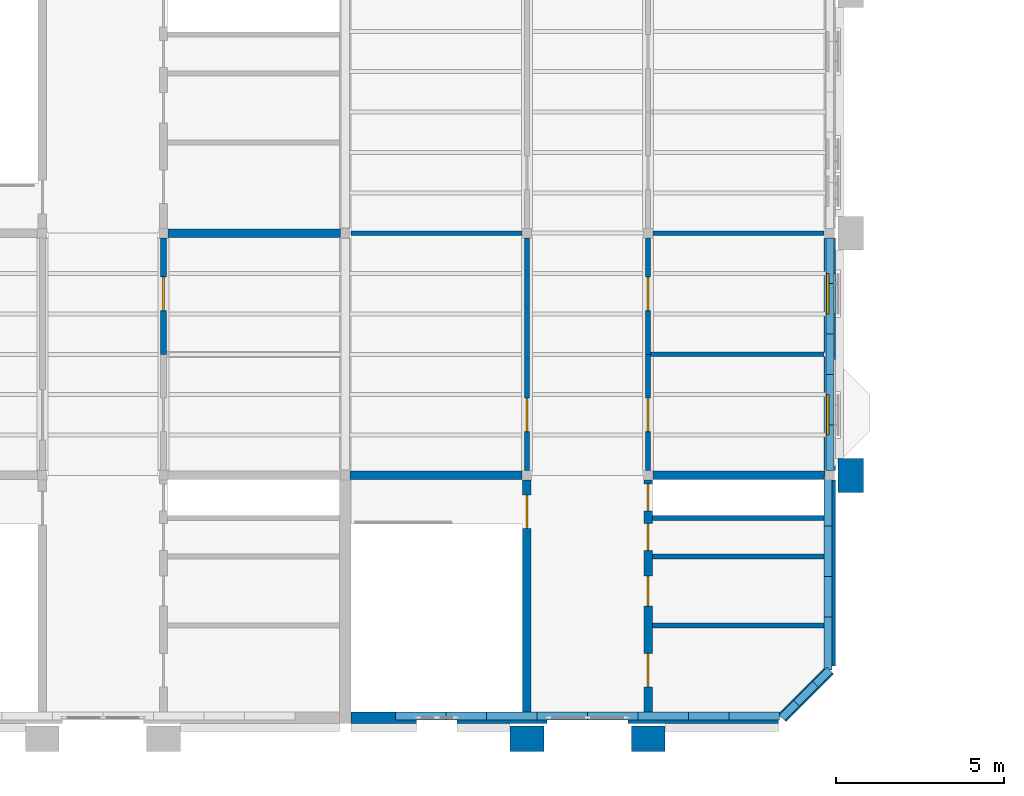
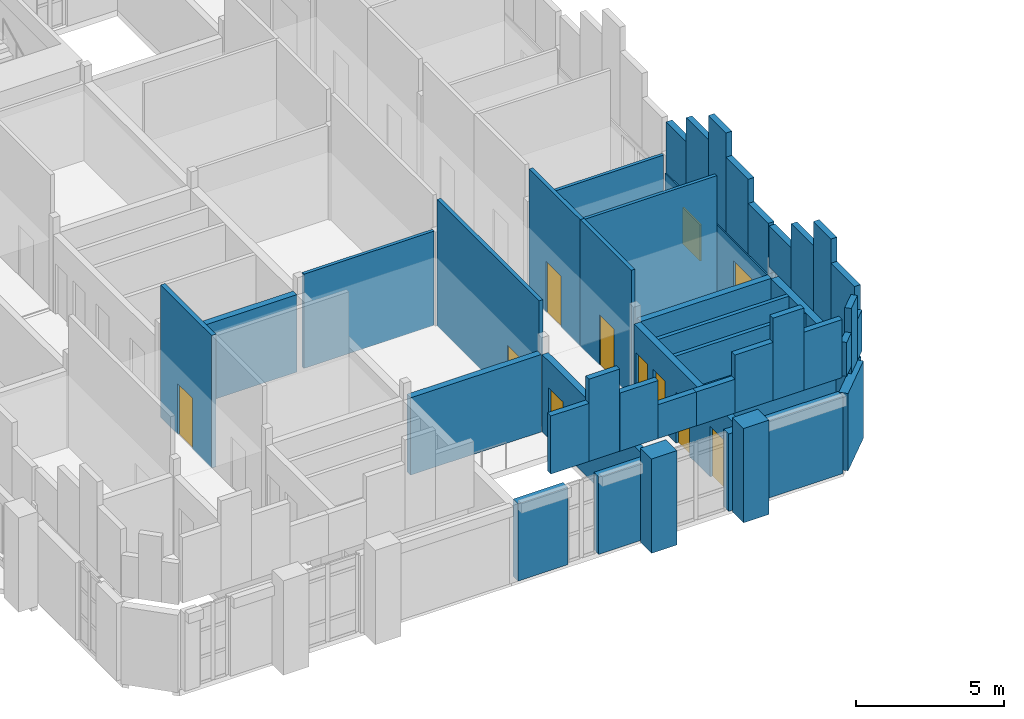
# One storey, part 33 of 51: 44 walls, 9 doors, 2 windows, 11 openings.
"""IFC4 building model written with IfcOpenShell, lengths in metres."""

from ifc_helpers import new_model, si_unit, direction, frame, frame_2d, origin, place, context, subcontext, project, spatial, rectangle, extrude, material, layer, layer_set, type_object, element, fill, save


model = new_model("IFC4")

# Units and contexts
model_context = context("Model", 3, precision=1e-05, world=origin(), true_north=direction((0.0, 1.0)))
body_context = subcontext(model_context, "Body", "Model", "MODEL_VIEW")
ifc_project = project(units=[si_unit("LENGTHUNIT", "METRE"), si_unit("AREAUNIT", "SQUARE_METRE"), si_unit("VOLUMEUNIT", "CUBIC_METRE"), si_unit("PLANEANGLEUNIT", "RADIAN"), si_unit("MASSUNIT", "GRAM", prefix="KILO")], contexts=[model_context])

# Site, building, storey
site_placement = place(None, origin())
site = spatial("IfcSite", under=ifc_project, at=site_placement, CompositionType="ELEMENT")
building_placement = place(site_placement, origin())
building = spatial("IfcBuilding", under=site, at=building_placement, Name="Mazhai Court Health Centre", CompositionType="ELEMENT")
storey_placement = place(building_placement, frame((0.0, 0.0, 14.10009765625)))
storey = spatial("IfcBuildingStorey", under=building, at=storey_placement, Name="L03", CompositionType="ELEMENT", Elevation=14.10009765625)

# Walls
ifc_material_1 = material(Name="Clay brick masonry", Category="masonry")
ifc_layer_1 = layer(ifc_material_1, 0.22998046875)
ifc_layer_set_1 = layer_set([ifc_layer_1], Name="BRICK PARAPET 230")
wall_type_1 = type_object("IfcWallType", Name="BRICK PARAPET 230", PredefinedType="SOLIDWALL", material=ifc_layer_set_1)
wall_1_placement = place(storey_placement, frame((34.949951171875, 9.199951171875, 3.599853515625), z_axis=(0.0, 0.0, 1.0), x_axis=(0.0, -1.0, 0.0)))
element("IfcWall", 1, at=wall_1_placement, inside=storey, type_object=wall_type_1, Name="PR-V5-B2", PredefinedType="SOLIDWALL", context=body_context, shape_type="SweptSolid", body=[
    extrude(rectangle(XDim=1.5859375, YDim=0.22998046875, at=frame_2d((0.79296875, 0.0))), origin(), (0.0, 0.0, 1.0), 2.699951171875),
])
wall_2_placement = place(storey_placement, frame((34.949951171875, 10.39990234375, 3.599853515625), z_axis=(0.0, 0.0, 1.0), x_axis=(0.0, -1.0, 0.0)))
element("IfcWall", 2, at=wall_2_placement, inside=storey, type_object=wall_type_1, Name="PR-V5-B3", PredefinedType="SOLIDWALL", context=body_context, shape_type="SweptSolid", body=[
    extrude(rectangle(XDim=1.199951171875, YDim=0.22998046875, at=frame_2d((0.60009765625, 0.0))), origin(), (0.0, 0.0, 1.0), 3.699951171875),
])
wall_3_placement = place(storey_placement, frame((34.949951171875, 11.89990234375, 3.599853515625), z_axis=(0.0, 0.0, 1.0), x_axis=(0.0, -1.0, 0.0)))
element("IfcWall", 3, at=wall_3_placement, inside=storey, type_object=wall_type_1, Name="PR-V5-B4", PredefinedType="SOLIDWALL", context=body_context, shape_type="SweptSolid", body=[
    extrude(rectangle(XDim=1.5, YDim=0.22998046875, at=frame_2d((0.75, 0.0))), origin(), (0.0, 0.0, 1.0), 2.699951171875),
])
wall_4_placement = place(storey_placement, frame((34.949951171875, 13.39990234375, 3.599853515625), z_axis=(0.0, 0.0, 1.0), x_axis=(0.0, -1.0, 0.0)))
element("IfcWall", 4, at=wall_4_placement, inside=storey, type_object=wall_type_1, Name="PR-V5-B5", PredefinedType="SOLIDWALL", context=body_context, shape_type="SweptSolid", body=[
    extrude(rectangle(XDim=1.5, YDim=0.22998046875, at=frame_2d((0.75, 0.0))), origin(), (0.0, 0.0, 1.0), 1.699951171875),
])
wall_5_placement = place(storey_placement, frame((23.60009765625, 6.25, 3.89990234375), z_axis=(0.0, 0.0, 1.0), x_axis=(-1.0, 0.0, 0.0)))
element("IfcWall", 5, at=wall_5_placement, inside=storey, type_object=wall_type_1, Name="PR-V5-S2", PredefinedType="SOLIDWALL", context=body_context, shape_type="SweptSolid", body=[
    extrude(rectangle(XDim=1.5, YDim=0.22998046875, at=frame_2d((0.75, 0.0))), origin(), (0.0, 0.0, 1.0), 2.39990234375),
])
wall_6_placement = place(storey_placement, frame((24.800048828125, 6.25, 3.89990234375), z_axis=(0.0, 0.0, 1.0), x_axis=(-1.0, 0.0, 0.0)))
element("IfcWall", 6, at=wall_6_placement, inside=storey, type_object=wall_type_1, Name="PR-V5-S3", PredefinedType="SOLIDWALL", context=body_context, shape_type="SweptSolid", body=[
    extrude(rectangle(XDim=1.199951171875, YDim=0.22998046875, at=frame_2d((0.60009765625, 0.0))), origin(), (0.0, 0.0, 1.0), 3.39990234375),
])
wall_7_placement = place(storey_placement, frame((26.300048828125, 6.25, 3.89990234375), z_axis=(0.0, 0.0, 1.0), x_axis=(-1.0, 0.0, 0.0)))
element("IfcWall", 7, at=wall_7_placement, inside=storey, type_object=wall_type_1, Name="PR-V5-S4", PredefinedType="SOLIDWALL", context=body_context, shape_type="SweptSolid", body=[
    extrude(rectangle(XDim=1.5, YDim=0.22998046875, at=frame_2d((0.75, 0.0))), origin(), (0.0, 0.0, 1.0), 2.39990234375),
])
for number, where, z_axis, x_axis, name in (
    (8, (27.800048828125, 6.25, 3.89990234375), (0.0, 0.0, 1.0), (-1.0, 0.0, 0.0), "PR-V5-S5"),
    (9, (29.300048828125, 6.25, 3.89990234375), (0.0, 0.0, 1.0), (-1.0, 0.0, 0.0), "PR-V5-S6"),
):
    element("IfcWall", number, at=place(storey_placement, frame(where, z_axis=z_axis, x_axis=x_axis)), inside=storey, type_object=wall_type_1, Name=name, PredefinedType="SOLIDWALL", context=body_context, shape_type="SweptSolid", body=[
        extrude(rectangle(XDim=1.5, YDim=0.22998046875, at=frame_2d((0.75, 0.0))), origin(), (0.0, 0.0, 1.0), 1.39990234375),
    ])
wall_8_placement = place(storey_placement, frame((30.800048828125, 6.25, 3.89990234375), z_axis=(0.0, 0.0, 1.0), x_axis=(-1.0, 0.0, 0.0)))
element("IfcWall", 10, at=wall_8_placement, inside=storey, type_object=wall_type_1, Name="PR-V5-S7", PredefinedType="SOLIDWALL", context=body_context, shape_type="SweptSolid", body=[
    extrude(rectangle(XDim=1.5, YDim=0.22998046875, at=frame_2d((0.75, 0.0))), origin(), (0.0, 0.0, 1.0), 2.39990234375),
])
wall_9_placement = place(storey_placement, frame((32.0, 6.25, 3.89990234375), z_axis=(0.0, 0.0, 1.0), x_axis=(-1.0, 0.0, 0.0)))
element("IfcWall", 11, at=wall_9_placement, inside=storey, type_object=wall_type_1, Name="PR-V5-S8", PredefinedType="SOLIDWALL", context=body_context, shape_type="SweptSolid", body=[
    extrude(rectangle(XDim=1.199951171875, YDim=0.22998046875, at=frame_2d((0.60009765625, 0.0))), origin(), (0.0, 0.0, 1.0), 3.39990234375),
])
wall_10_placement = place(storey_placement, frame((33.5, 6.25, 3.89990234375), z_axis=(0.0, 0.0, 1.0), x_axis=(-1.0, 0.0, 0.0)))
element("IfcWall", 12, at=wall_10_placement, inside=storey, type_object=wall_type_1, Name="PR-V5-S9", PredefinedType="SOLIDWALL", context=body_context, shape_type="SweptSolid", body=[
    extrude(rectangle(XDim=1.5, YDim=0.22998046875, at=frame_2d((0.75, 0.0))), origin(), (0.0, 0.0, 1.0), 2.39990234375),
])
wall_11_placement = place(storey_placement, frame((35.0, 7.614013671875, 3.599853515625), z_axis=(0.0, 0.0, 1.0), x_axis=(-0.707106781187, -0.707106781187, 0.0)))
element("IfcWall", 13, at=wall_11_placement, inside=storey, type_object=wall_type_1, Name="PR-V5-CHB0", PredefinedType="SOLIDWALL", context=body_context, shape_type="SweptSolid", body=[
    extrude(rectangle(XDim=0.599609375, YDim=0.22998046875, at=frame_2d((0.2998046875, 0.0))), origin(), (0.0, 0.0, 1.0), 1.699951171875),
])
wall_12_placement = place(storey_placement, frame((34.575927734375, 7.18994140625, 3.599853515625), z_axis=(0.0, 0.0, 1.0), x_axis=(-0.707106781187, -0.707106781187, 0.0)))
element("IfcWall", 14, at=wall_12_placement, inside=storey, type_object=wall_type_1, Name="PR-V5-CHB1", PredefinedType="SOLIDWALL", context=body_context, shape_type="SweptSolid", body=[
    extrude(rectangle(XDim=0.80029296875, YDim=0.22998046875, at=frame_2d((0.400146484375, 0.0))), origin(), (0.0, 0.0, 1.0), 2.699951171875),
])
wall_13_placement = place(storey_placement, frame((34.010009765625, 6.6240234375, 3.89990234375), z_axis=(0.0, 0.0, 1.0), x_axis=(-0.707106781187, -0.707106781187, 0.0)))
element("IfcWall", 15, at=wall_13_placement, inside=storey, type_object=wall_type_1, Name="PR-V5-CHB2", PredefinedType="SOLIDWALL", context=body_context, shape_type="SweptSolid", body=[
    extrude(rectangle(XDim=0.599609375, YDim=0.22998046875, at=frame_2d((0.2998046875, 0.0))), origin(), (0.0, 0.0, 1.0), 1.39990234375),
])
wall_14_placement = place(storey_placement, frame((35.0, 14.89990234375, 3.199951171875), z_axis=(0.0, 0.0, 1.0), x_axis=(0.0, -1.0, 0.0)))
element("IfcWall", 16, at=wall_14_placement, inside=storey, type_object=wall_type_1, Name="PR-V5-B6", PredefinedType="SOLIDWALL", context=body_context, shape_type="SweptSolid", body=[
    extrude(rectangle(XDim=1.35986328125, YDim=0.22998046875, at=frame_2d((0.679931640625, 0.0))), origin(), (0.0, 0.0, 1.0), 2.099853515625),
])
wall_15_placement = place(storey_placement, frame((35.0, 16.39990234375, 3.199951171875), z_axis=(0.0, 0.0, 1.0), x_axis=(0.0, -1.0, 0.0)))
element("IfcWall", 17, at=wall_15_placement, inside=storey, type_object=wall_type_1, Name="PR-V5-B7", PredefinedType="SOLIDWALL", context=body_context, shape_type="SweptSolid", body=[
    extrude(rectangle(XDim=1.5, YDim=0.22998046875, at=frame_2d((0.75, 0.0))), origin(), (0.0, 0.0, 1.0), 3.099853515625),
])
wall_16_placement = place(storey_placement, frame((35.0, 17.60009765625, 3.199951171875), z_axis=(0.0, 0.0, 1.0), x_axis=(0.0, -1.0, 0.0)))
element("IfcWall", 18, at=wall_16_placement, inside=storey, type_object=wall_type_1, Name="PR-V5-B8", PredefinedType="SOLIDWALL", context=body_context, shape_type="SweptSolid", body=[
    extrude(rectangle(XDim=1.2001953125, YDim=0.22998046875, at=frame_2d((0.60009765625, 0.0))), origin(), (0.0, 0.0, 1.0), 4.099853515625),
])
wall_17_placement = place(storey_placement, frame((35.0, 19.10009765625, 3.199951171875), z_axis=(0.0, 0.0, 1.0), x_axis=(0.0, -1.0, 0.0)))
element("IfcWall", 19, at=wall_17_placement, inside=storey, type_object=wall_type_1, Name="PR-V5-B9", PredefinedType="SOLIDWALL", context=body_context, shape_type="SweptSolid", body=[
    extrude(rectangle(XDim=1.5, YDim=0.22998046875, at=frame_2d((0.75, 0.0))), origin(), (0.0, 0.0, 1.0), 3.099853515625),
])
wall_18_placement = place(storey_placement, frame((35.0, 20.4599609375, 3.199951171875), z_axis=(0.0, 0.0, 1.0), x_axis=(0.0, -1.0, 0.0)))
element("IfcWall", 20, at=wall_18_placement, inside=storey, type_object=wall_type_1, Name="PR-V5-B10", PredefinedType="SOLIDWALL", context=body_context, shape_type="SweptSolid", body=[
    extrude(rectangle(XDim=1.35986328125, YDim=0.22998046875, at=frame_2d((0.679931640625, 0.0))), origin(), (0.0, 0.0, 1.0), 2.099853515625),
])
ifc_material_2 = material(Name="Clay brick masonry", Category="masonry")
ifc_layer_2 = layer(ifc_material_2, 0.75)
ifc_layer_set_2 = layer_set([ifc_layer_2], Name="BRICK PIER 750")
wall_type_2 = type_object("IfcWallType", Name="BRICK PIER 750", PredefinedType="SOLIDWALL", material=ifc_layer_set_2)
for number, where, z_axis, x_axis, name in (
    (21, (35.625, 13.89990234375, 0.0), (0.0, 0.0, 1.0), (0.0, -1.0, 0.0), "EP-V5-L03-B1"),
    (22, (26.5, 5.574951171875, 0.0), (0.0, 0.0, 1.0), (-1.0, 0.0, 0.0), "EP-V5-L03-S54"),
    (23, (30.10009765625, 5.574951171875, 0.0), (0.0, 0.0, 1.0), (-1.0, 0.0, 0.0), "EP-V5-L03-S90"),
):
    element("IfcWall", number, at=place(storey_placement, frame(where, z_axis=z_axis, x_axis=x_axis)), inside=storey, type_object=wall_type_2, Name=name, PredefinedType="SOLIDWALL", context=body_context, shape_type="SweptSolid", body=[
        extrude(rectangle(XDim=1.0, YDim=0.75, at=frame_2d((0.5, 0.0))), origin(), (0.0, 0.0, 1.0), 3.89990234375),
    ])
ifc_material_3 = material(Name="Clay brick masonry", Category="masonry")
ifc_layer_3 = layer(ifc_material_3, 0.330078125)
ifc_layer_set_3 = layer_set([ifc_layer_3], Name="BRICK WALL 330 EXTERNAL")
wall_type_3 = type_object("IfcWallType", Name="BRICK WALL 330 EXTERNAL", PredefinedType="SOLIDWALL", material=ifc_layer_set_3)
wall_19_placement = place(storey_placement, frame((35.0, 13.260009765625, 0.0), z_axis=(0.0, 0.0, 1.0), x_axis=(0.0, -1.0, 0.0)))
element("IfcWall", 24, at=wall_19_placement, inside=storey, type_object=wall_type_3, Name="EW-V5-L03-B0", PredefinedType="SOLIDWALL", context=body_context, shape_type="SweptSolid", body=[
    extrude(rectangle(XDim=5.529052734375, YDim=0.330078125, at=frame_2d((2.7646484375, 0.0))), origin(), (0.0, 0.0, 1.0), 3.199951171875),
])

# Wall, openings, windows
wall_20_placement = place(storey_placement, frame((35.0, 20.4599609375, 0.0), z_axis=(0.0, 0.0, 1.0), x_axis=(0.0, -1.0, 0.0)))
wall_20 = element("IfcWall", 25, at=wall_20_placement, inside=storey, type_object=wall_type_3, Name="EW-V5-L03-B1p0", PredefinedType="SOLIDWALL", context=body_context, shape_type="SweptSolid", body=[
    extrude(rectangle(XDim=6.919921875, YDim=0.330078125, at=frame_2d((3.4599609375, 0.0))), origin(), (0.0, 0.0, 1.0), 3.199951171875),
])
opening_1_placement = place(wall_20_placement, frame((4.659912109375, 0.0, 0.89990234375)))
opening_1 = element("IfcOpeningElement", 26, at=opening_1_placement, cuts=wall_20, Name="Opening W12", PredefinedType="OPENING", context=body_context, shape_type="SweptSolid", body=[
    extrude(rectangle(XDim=1.199951171875, YDim=1.5, at=frame_2d((0.60009765625, 0.75))), frame((0.0, 0.175048828125, 0.0), z_axis=(0.0, -1.0, 0.0), x_axis=(1.0, 0.0, 0.0)), (0.0, 0.0, 1.0), 0.35009765625),
])
opening_2_placement = place(wall_20_placement, frame((1.06005859375, 0.0, 0.89990234375)))
opening_2 = element("IfcOpeningElement", 27, at=opening_2_placement, cuts=wall_20, Name="Opening W12", PredefinedType="OPENING", context=body_context, shape_type="SweptSolid", body=[
    extrude(rectangle(XDim=1.199951171875, YDim=1.5, at=frame_2d((0.60009765625, 0.75))), frame((0.0, 0.175048828125, 0.0), z_axis=(0.0, -1.0, 0.0), x_axis=(1.0, 0.0, 0.0)), (0.0, 0.0, 1.0), 0.35009765625),
])
ifc_material_4 = material(Name="Teak timber frame, glazed", Category="wood")
window_type = type_object("IfcWindowType", Name="WINDOW OFFICE 1200x1500", PartitioningType="SINGLE_PANEL", PredefinedType="WINDOW", material=ifc_material_4)
window_1_placement = place(opening_1_placement, origin())
window_1 = element("IfcWindow", 28, at=window_1_placement, inside=storey, type_object=window_type, Name="W12 WN-V5-L03-B10", OverallHeight=1.5, OverallWidth=1.199951171875, PartitioningType="SINGLE_PANEL", PredefinedType="WINDOW", context=body_context, shape_type="SweptSolid", body=[
    extrude(rectangle(XDim=1.199951171875, YDim=1.5, at=frame_2d((0.60009765625, 0.75))), frame((0.0, -0.030029296875, 0.0), z_axis=(0.0, -1.0, 0.0), x_axis=(1.0, 0.0, 0.0)), (0.0, 0.0, 1.0), 0.06005859375),
])
fill(opening_1, window_1)
window_2_placement = place(opening_2_placement, origin())
window_2 = element("IfcWindow", 29, at=window_2_placement, inside=storey, type_object=window_type, Name="W12 WN-V5-L03-B11", OverallHeight=1.5, OverallWidth=1.199951171875, PartitioningType="SINGLE_PANEL", PredefinedType="WINDOW", context=body_context, shape_type="SweptSolid", body=[
    extrude(rectangle(XDim=1.199951171875, YDim=1.5, at=frame_2d((0.60009765625, 0.75))), frame((0.0, -0.030029296875, 0.0), z_axis=(0.0, -1.0, 0.0), x_axis=(1.0, 0.0, 0.0)), (0.0, 0.0, 1.0), 0.06005859375),
])
fill(opening_2, window_2)

# Walls
wall_21_placement = place(storey_placement, frame((22.719970703125, 6.199951171875, 0.0), z_axis=(0.0, 0.0, 1.0), x_axis=(-1.0, 0.0, 0.0)))
element("IfcWall", 30, at=wall_21_placement, inside=storey, type_object=wall_type_3, Name="EW-V5-L03-Sp0", PredefinedType="SOLIDWALL", context=body_context, shape_type="SweptSolid", body=[
    extrude(rectangle(XDim=1.955078125, YDim=0.330078125, at=frame_2d((0.9775390625, 0.0))), origin(), (0.0, 0.0, 1.0), 3.199951171875),
])
wall_22_placement = place(storey_placement, frame((26.60009765625, 6.199951171875, 0.0), z_axis=(0.0, 0.0, 1.0), x_axis=(-1.0, 0.0, 0.0)))
element("IfcWall", 31, at=wall_22_placement, inside=storey, type_object=wall_type_3, Name="EW-V5-L03-Sp1", PredefinedType="SOLIDWALL", context=body_context, shape_type="SweptSolid", body=[
    extrude(rectangle(XDim=2.68017578125, YDim=0.330078125, at=frame_2d((1.340087890625, 0.0))), origin(), (0.0, 0.0, 1.0), 3.199951171875),
])
wall_23_placement = place(storey_placement, frame((33.468994140625, 6.199951171875, 0.0), z_axis=(0.0, 0.0, 1.0), x_axis=(-1.0, 0.0, 0.0)))
element("IfcWall", 32, at=wall_23_placement, inside=storey, type_object=wall_type_3, Name="EW-V5-L03-Sp2", PredefinedType="SOLIDWALL", context=body_context, shape_type="SweptSolid", body=[
    extrude(rectangle(XDim=4.468994140625, YDim=0.330078125, at=frame_2d((2.234375, 0.0))), origin(), (0.0, 0.0, 1.0), 3.199951171875),
])
wall_24_placement = place(storey_placement, frame((35.0, 7.614013671875, 0.0), z_axis=(0.0, 0.0, 1.0), x_axis=(-0.707106781187, -0.707106781187, 0.0)))
element("IfcWall", 33, at=wall_24_placement, inside=storey, type_object=wall_type_3, Name="EW-V5-L03-CHB", PredefinedType="SOLIDWALL", context=body_context, shape_type="SweptSolid", body=[
    extrude(rectangle(XDim=1.999755859375, YDim=0.330078125, at=frame_2d((1.0, 0.0))), origin(), (0.0, 0.0, 1.0), 3.199951171875),
])
ifc_material_5 = material(Name="Gypsum plasterboard partition")
ifc_layer_4 = layer(ifc_material_5, 0.125)
ifc_layer_set_4 = layer_set([ifc_layer_4], Name="PARTITION 125 STUD EI30")
wall_type_4 = type_object("IfcWallType", Name="PARTITION 125 STUD EI30", PredefinedType="PARTITIONING", material=ifc_layer_set_4)
wall_25_placement = place(storey_placement, frame((20.764892578125, 20.60009765625, 0.0), z_axis=(0.0, 0.0, 1.0), x_axis=(1.0, 0.0, 0.0)))
element("IfcWall", 34, at=wall_25_placement, inside=storey, type_object=wall_type_4, Name="wall-V5-L03-A0-cross-1a", PredefinedType="PARTITIONING", context=body_context, shape_type="SweptSolid", body=[
    extrude(rectangle(XDim=5.09521484375, YDim=0.125, at=frame_2d((2.547607421875, 0.0))), origin(), (0.0, 0.0, 1.0), 3.89990234375),
])
wall_26_placement = place(storey_placement, frame((34.8349609375, 17.0, 0.0), z_axis=(0.0, 0.0, 1.0), x_axis=(-1.0, 0.0, 0.0)))
element("IfcWall", 35, at=wall_26_placement, inside=storey, type_object=wall_type_4, Name="wall-V5-L03-B0-cross-1a", PredefinedType="PARTITIONING", context=body_context, shape_type="SweptSolid", body=[
    extrude(rectangle(XDim=5.159912109375, YDim=0.125, at=frame_2d((2.580078125, 0.0))), origin(), (0.0, 0.0, 1.0), 5.233154296875),
])
wall_27_placement = place(storey_placement, frame((34.8349609375, 20.60009765625, 0.0), z_axis=(0.0, 0.0, 1.0), x_axis=(-1.0, 0.0, 0.0)))
element("IfcWall", 36, at=wall_27_placement, inside=storey, type_object=wall_type_4, Name="wall-V5-L03-B0-cross-2a", PredefinedType="PARTITIONING", context=body_context, shape_type="SweptSolid", body=[
    extrude(rectangle(XDim=5.094970703125, YDim=0.125, at=frame_2d((2.54736328125, 0.0))), origin(), (0.0, 0.0, 1.0), 3.89990234375),
])

# Wall, opening, door
ifc_material_6 = material(Name="Gypsum plasterboard partition")
ifc_layer_5 = layer(ifc_material_6, 0.14990234375)
ifc_layer_set_5 = layer_set([ifc_layer_5], Name="PARTITION 150 CORRIDOR EI60")
wall_type_5 = type_object("IfcWallType", Name="PARTITION 150 CORRIDOR EI60", PredefinedType="PARTITIONING", material=ifc_layer_set_5)
wall_28_placement = place(storey_placement, frame((26.0, 13.5400390625, 0.0), z_axis=(0.0, 0.0, 1.0), x_axis=(0.0, 1.0, 0.0)))
wall_28 = element("IfcWall", 37, at=wall_28_placement, inside=storey, type_object=wall_type_5, Name="wall-V5-L03-A0-corr-0a", PredefinedType="PARTITIONING", context=body_context, shape_type="SweptSolid", body=[
    extrude(rectangle(XDim=6.919921875, YDim=0.14990234375, at=frame_2d((3.4599609375, 0.0))), origin(), (0.0, 0.0, 1.0), 5.233154296875),
])
opening_3_placement = place(wall_28_placement, frame((1.159912109375, 0.0, 0.0)))
opening_3 = element("IfcOpeningElement", 38, at=opening_3_placement, cuts=wall_28, Name="Opening D-L03-020", PredefinedType="OPENING", context=body_context, shape_type="SweptSolid", body=[
    extrude(rectangle(XDim=1.0, YDim=2.10009765625, at=frame_2d((0.5, 1.050048828125))), frame((0.0, 0.0849609375, 0.0), z_axis=(0.0, -1.0, 0.0), x_axis=(1.0, 0.0, 0.0)), (0.0, 0.0, 1.0), 0.169921875),
])
ifc_material_7 = material(Name="Hardwood door leaf", Category="wood")
door_type_1 = type_object("IfcDoorType", Name="DOOR 1000x2100 FD30S SINGLE", OperationType="NOTDEFINED", PredefinedType="DOOR", material=ifc_material_7)
door_1_placement = place(opening_3_placement, origin())
door_1 = element("IfcDoor", 39, at=door_1_placement, inside=storey, type_object=door_type_1, Name="door-V5-L03-A0-clinical-skills-training-room", OperationType="SINGLE_SWING_LEFT", OverallHeight=2.10009765625, OverallWidth=1.0, PredefinedType="DOOR", context=body_context, shape_type="SweptSolid", body=[
    extrude(rectangle(XDim=1.0, YDim=2.10009765625, at=frame_2d((0.5, 1.050048828125))), frame((0.0, 0.02490234375, 0.0), z_axis=(0.0, -1.0, 0.0), x_axis=(1.0, 0.0, 0.0)), (0.0, 0.0, 1.0), 0.050048828125),
])
fill(opening_3, door_1)

wall_29_placement = place(storey_placement, frame((29.60009765625, 17.0, 0.0), z_axis=(0.0, 0.0, 1.0), x_axis=(0.0, -1.0, 0.0)))
wall_29 = element("IfcWall", 40, at=wall_29_placement, inside=storey, type_object=wall_type_5, Name="wall-V5-L03-B0-corr-0a", PredefinedType="PARTITIONING", context=body_context, shape_type="SweptSolid", body=[
    extrude(rectangle(XDim=3.4599609375, YDim=0.14990234375, at=frame_2d((1.72998046875, 0.0))), origin(), (0.0, 0.0, 1.0), 5.233154296875),
])
opening_4_placement = place(wall_29_placement, frame((1.300048828125, 0.0, 0.0)))
opening_4 = element("IfcOpeningElement", 41, at=opening_4_placement, cuts=wall_29, Name="Opening D-L03-029", PredefinedType="OPENING", context=body_context, shape_type="SweptSolid", body=[
    extrude(rectangle(XDim=1.0, YDim=2.10009765625, at=frame_2d((0.5, 1.050048828125))), frame((0.0, 0.0849609375, 0.0), z_axis=(0.0, -1.0, 0.0), x_axis=(1.0, 0.0, 0.0)), (0.0, 0.0, 1.0), 0.169921875),
])
door_2_placement = place(opening_4_placement, origin())
door_2 = element("IfcDoor", 42, at=door_2_placement, inside=storey, type_object=door_type_1, Name="door-V5-L03-B0-clinical-governance-office", OperationType="SINGLE_SWING_RIGHT", OverallHeight=2.10009765625, OverallWidth=1.0, PredefinedType="DOOR", context=body_context, shape_type="SweptSolid", body=[
    extrude(rectangle(XDim=1.0, YDim=2.10009765625, at=frame_2d((0.5, 1.050048828125))), frame((0.0, 0.02490234375, 0.0), z_axis=(0.0, -1.0, 0.0), x_axis=(1.0, 0.0, 0.0)), (0.0, 0.0, 1.0), 0.050048828125),
])
fill(opening_4, door_2)

wall_30_placement = place(storey_placement, frame((29.60009765625, 20.4599609375, 0.0), z_axis=(0.0, 0.0, 1.0), x_axis=(0.0, -1.0, 0.0)))
wall_30 = element("IfcWall", 43, at=wall_30_placement, inside=storey, type_object=wall_type_5, Name="wall-V5-L03-B0-corr-1a", PredefinedType="PARTITIONING", context=body_context, shape_type="SweptSolid", body=[
    extrude(rectangle(XDim=3.4599609375, YDim=0.14990234375, at=frame_2d((1.72998046875, 0.0))), origin(), (0.0, 0.0, 1.0), 5.233154296875),
])
opening_5_placement = place(wall_30_placement, frame((1.159912109375, 0.0, 0.0)))
opening_5 = element("IfcOpeningElement", 44, at=opening_5_placement, cuts=wall_30, Name="Opening D-L03-030", PredefinedType="OPENING", context=body_context, shape_type="SweptSolid", body=[
    extrude(rectangle(XDim=1.0, YDim=2.10009765625, at=frame_2d((0.5, 1.050048828125))), frame((0.0, 0.0849609375, 0.0), z_axis=(0.0, -1.0, 0.0), x_axis=(1.0, 0.0, 0.0)), (0.0, 0.0, 1.0), 0.169921875),
])
door_3_placement = place(opening_5_placement, origin())
door_3 = element("IfcDoor", 45, at=door_3_placement, inside=storey, type_object=door_type_1, Name="door-V5-L03-B0-medical-director-office", OperationType="SINGLE_SWING_LEFT", OverallHeight=2.10009765625, OverallWidth=1.0, PredefinedType="DOOR", context=body_context, shape_type="SweptSolid", body=[
    extrude(rectangle(XDim=1.0, YDim=2.10009765625, at=frame_2d((0.5, 1.050048828125))), frame((0.0, 0.02490234375, 0.0), z_axis=(0.0, -1.0, 0.0), x_axis=(1.0, 0.0, 0.0)), (0.0, 0.0, 1.0), 0.050048828125),
])
fill(opening_5, door_3)

ifc_material_8 = material(Name="Gypsum plasterboard partition")
ifc_layer_6 = layer(ifc_material_8, 0.175048828125)
ifc_layer_set_6 = layer_set([ifc_layer_6], Name="PARTITION 175 FIRE EI60")
wall_type_6 = type_object("IfcWallType", Name="PARTITION 175 FIRE EI60", PredefinedType="PARTITIONING", material=ifc_layer_set_6)
wall_31_placement = place(storey_placement, frame((15.199951171875, 17.0, 0.0), z_axis=(0.0, 0.0, 1.0), x_axis=(0.0, 1.0, 0.0)))
wall_31 = element("IfcWall", 46, at=wall_31_placement, inside=storey, type_object=wall_type_6, Name="wall-V2-L03-B0-corr-1a", PredefinedType="PARTITIONING", context=body_context, shape_type="SweptSolid", body=[
    extrude(rectangle(XDim=3.4599609375, YDim=0.175048828125, at=frame_2d((1.72998046875, 0.0))), origin(), (0.0, 0.0, 1.0), 5.485107421875),
])
opening_6_placement = place(wall_31_placement, frame((1.300048828125, 0.0, 0.0)))
opening_6 = element("IfcOpeningElement", 47, at=opening_6_placement, cuts=wall_31, Name="Opening D-L03-012", PredefinedType="OPENING", context=body_context, shape_type="SweptSolid", body=[
    extrude(rectangle(XDim=1.0, YDim=2.10009765625, at=frame_2d((0.5, 1.050048828125))), frame((0.0, 0.097412109375, 0.0), z_axis=(0.0, -1.0, 0.0), x_axis=(1.0, 0.0, 0.0)), (0.0, 0.0, 1.0), 0.195068359375),
])
ifc_material_9 = material(Name="Hardwood door leaf", Category="wood")
door_type_2 = type_object("IfcDoorType", Name="DOOR 1000x2100 FD60 SINGLE", OperationType="NOTDEFINED", PredefinedType="DOOR", material=ifc_material_9)
door_4_placement = place(opening_6_placement, origin())
door_4 = element("IfcDoor", 48, at=door_4_placement, inside=storey, type_object=door_type_2, Name="door-V2-L03-B0-medical-gas-manifold-room", OperationType="SINGLE_SWING_RIGHT", OverallHeight=2.10009765625, OverallWidth=1.0, PredefinedType="DOOR", context=body_context, shape_type="SweptSolid", body=[
    extrude(rectangle(XDim=1.0, YDim=2.10009765625, at=frame_2d((0.5, 1.050048828125))), frame((0.0, 0.02490234375, 0.0), z_axis=(0.0, -1.0, 0.0), x_axis=(1.0, 0.0, 0.0)), (0.0, 0.0, 1.0), 0.050048828125),
])
fill(opening_6, door_4)

# Wall
ifc_material_10 = material(Name="Concrete M40", Category="concrete")
ifc_layer_7 = layer(ifc_material_10, 0.25)
ifc_layer_set_7 = layer_set([ifc_layer_7], Name="RC CORE WALL 250 M40")
wall_type_7 = type_object("IfcWallType", Name="RC CORE WALL 250 M40", PredefinedType="SHEAR", material=ifc_layer_set_7)
wall_32_placement = place(storey_placement, frame((15.340087890625, 20.60009765625, 0.0), z_axis=(0.0, 0.0, 1.0), x_axis=(1.0, 0.0, 0.0)))
element("IfcWall", 49, at=wall_32_placement, inside=storey, type_object=wall_type_7, Name="core-C2-w-other-line0-L03", PredefinedType="SHEAR", context=body_context, shape_type="SweptSolid", body=[
    extrude(rectangle(XDim=5.119873046875, YDim=0.25, at=frame_2d((2.56005859375, 0.0))), origin(), (0.0, 0.0, 1.0), 3.199951171875),
])

# Wall, opening, door
wall_33_placement = place(storey_placement, frame((26.0, 6.364990234375, 0.0), z_axis=(0.0, 0.0, 1.0), x_axis=(0.0, 1.0, 0.0)))
wall_33 = element("IfcWall", 50, at=wall_33_placement, inside=storey, type_object=wall_type_7, Name="core-C4-w-stair-corr-L03", PredefinedType="SHEAR", context=body_context, shape_type="SweptSolid", body=[
    extrude(rectangle(XDim=6.89501953125, YDim=0.25, at=frame_2d((3.447509765625, 0.0))), origin(), (0.0, 0.0, 1.0), 3.199951171875),
])
opening_7_placement = place(wall_33_placement, frame((5.4599609375, 0.0, 0.0)))
opening_7 = element("IfcOpeningElement", 51, at=opening_7_placement, cuts=wall_33, Name="Opening D-L03-019", PredefinedType="OPENING", context=body_context, shape_type="SweptSolid", body=[
    extrude(rectangle(XDim=1.0, YDim=2.10009765625, at=frame_2d((0.5, 1.050048828125))), frame((0.0, 0.135009765625, 0.0), z_axis=(0.0, -1.0, 0.0), x_axis=(1.0, 0.0, 0.0)), (0.0, 0.0, 1.0), 0.27001953125),
])
ifc_material_11 = material(Name="Steel fire door leaf", Category="steel")
door_type_3 = type_object("IfcDoorType", Name="FD120S STAIR DOOR 1000x2100", OperationType="SINGLE_SWING_LEFT", PredefinedType="DOOR", material=ifc_material_11)
door_5_placement = place(opening_7_placement, origin())
door_5 = element("IfcDoor", 52, at=door_5_placement, inside=storey, type_object=door_type_3, Name="Stair 4 door L03", OperationType="SINGLE_SWING_RIGHT", OverallHeight=2.10009765625, OverallWidth=1.0, PredefinedType="DOOR", context=body_context, shape_type="SweptSolid", body=[
    extrude(rectangle(XDim=1.0, YDim=2.10009765625, at=frame_2d((0.5, 1.050048828125))), frame((0.0, 0.02490234375, 0.0), z_axis=(0.0, -1.0, 0.0), x_axis=(1.0, 0.0, 0.0)), (0.0, 0.0, 1.0), 0.050048828125),
])
fill(opening_7, door_5)

# Wall
wall_34_placement = place(storey_placement, frame((20.739990234375, 13.39990234375, 0.0), z_axis=(0.0, 0.0, 1.0), x_axis=(1.0, 0.0, 0.0)))
element("IfcWall", 53, at=wall_34_placement, inside=storey, type_object=wall_type_7, Name="core-C4-w-stair-line0-L03", PredefinedType="SHEAR", context=body_context, shape_type="SweptSolid", body=[
    extrude(rectangle(XDim=5.1201171875, YDim=0.25, at=frame_2d((2.56005859375, 0.0))), origin(), (0.0, 0.0, 1.0), 3.199951171875),
])

# Wall, openings, doors
wall_35_placement = place(storey_placement, frame((29.60009765625, 6.364990234375, 0.0), z_axis=(0.0, 0.0, 1.0), x_axis=(0.0, 1.0, 0.0)))
wall_35 = element("IfcWall", 54, at=wall_35_placement, inside=storey, type_object=wall_type_7, Name="core-C4-w-other-corr-L03", PredefinedType="SHEAR", context=body_context, shape_type="SweptSolid", body=[
    extrude(rectangle(XDim=6.89501953125, YDim=0.25, at=frame_2d((3.447509765625, 0.0))), origin(), (0.0, 0.0, 1.0), 3.199951171875),
])
opening_8_placement = place(wall_35_placement, frame((0.75, 0.0, 0.0)))
opening_8 = element("IfcOpeningElement", 55, at=opening_8_placement, cuts=wall_35, Name="Opening D-L03-025", PredefinedType="OPENING", context=body_context, shape_type="SweptSolid", body=[
    extrude(rectangle(XDim=1.0, YDim=2.10009765625, at=frame_2d((0.5, 1.050048828125))), frame((0.0, 0.135009765625, 0.0), z_axis=(0.0, -1.0, 0.0), x_axis=(1.0, 0.0, 0.0)), (0.0, 0.0, 1.0), 0.27001953125),
])
opening_9_placement = place(wall_35_placement, frame((3.14990234375, 0.0, 0.0)))
opening_9 = element("IfcOpeningElement", 56, at=opening_9_placement, cuts=wall_35, Name="Opening D-L03-026", PredefinedType="OPENING", context=body_context, shape_type="SweptSolid", body=[
    extrude(rectangle(XDim=0.89990234375, YDim=2.10009765625, at=frame_2d((0.449951171875, 1.050048828125))), frame((0.0, 0.135009765625, 0.0), z_axis=(0.0, -1.0, 0.0), x_axis=(1.0, 0.0, 0.0)), (0.0, 0.0, 1.0), 0.27001953125),
])
opening_10_placement = place(wall_35_placement, frame((4.800048828125, 0.0, 0.0)))
opening_10 = element("IfcOpeningElement", 57, at=opening_10_placement, cuts=wall_35, Name="Opening D-L03-027", PredefinedType="OPENING", context=body_context, shape_type="SweptSolid", body=[
    extrude(rectangle(XDim=0.800048828125, YDim=2.10009765625, at=frame_2d((0.39990234375, 1.050048828125))), frame((0.0, 0.135009765625, 0.0), z_axis=(0.0, -1.0, 0.0), x_axis=(1.0, 0.0, 0.0)), (0.0, 0.0, 1.0), 0.27001953125),
])
opening_11_placement = place(wall_35_placement, frame((5.97998046875, 0.0, 0.0)))
opening_11 = element("IfcOpeningElement", 58, at=opening_11_placement, cuts=wall_35, Name="Opening D-L03-028", PredefinedType="OPENING", context=body_context, shape_type="SweptSolid", body=[
    extrude(rectangle(XDim=0.800048828125, YDim=2.10009765625, at=frame_2d((0.39990234375, 1.050048828125))), frame((0.0, 0.135009765625, 0.0), z_axis=(0.0, -1.0, 0.0), x_axis=(1.0, 0.0, 0.0)), (0.0, 0.0, 1.0), 0.27001953125),
])
ifc_material_12 = material(Name="Timber door leaf", Category="wood")
door_type_4 = type_object("IfcDoorType", Name="ACCESSIBLE WC DOOR 1000x2100", OperationType="SINGLE_SWING_RIGHT", PredefinedType="DOOR", material=ifc_material_12)
door_6_placement = place(opening_8_placement, origin())
door_6 = element("IfcDoor", 59, at=door_6_placement, inside=storey, type_object=door_type_4, Name="Accessible WC door L03", OperationType="SINGLE_SWING_LEFT", OverallHeight=2.10009765625, OverallWidth=1.0, PredefinedType="DOOR", context=body_context, shape_type="SweptSolid", body=[
    extrude(rectangle(XDim=1.0, YDim=2.10009765625, at=frame_2d((0.5, 1.050048828125))), frame((0.0, 0.02490234375, 0.0), z_axis=(0.0, -1.0, 0.0), x_axis=(1.0, 0.0, 0.0)), (0.0, 0.0, 1.0), 0.050048828125),
])
fill(opening_8, door_6)
ifc_material_13 = material(Name="Timber door leaf", Category="wood")
door_type_5 = type_object("IfcDoorType", Name="CLEANER STORE DOOR 800x2100", OperationType="SINGLE_SWING_LEFT", PredefinedType="DOOR", material=ifc_material_13)
door_7_placement = place(opening_10_placement, origin())
door_7 = element("IfcDoor", 60, at=door_7_placement, inside=storey, type_object=door_type_5, Name="Cleaner door L03", OperationType="SINGLE_SWING_LEFT", OverallHeight=2.10009765625, OverallWidth=0.800048828125, PredefinedType="DOOR", context=body_context, shape_type="SweptSolid", body=[
    extrude(rectangle(XDim=0.800048828125, YDim=2.10009765625, at=frame_2d((0.39990234375, 1.050048828125))), frame((0.0, 0.02490234375, 0.0), z_axis=(0.0, -1.0, 0.0), x_axis=(1.0, 0.0, 0.0)), (0.0, 0.0, 1.0), 0.050048828125),
])
fill(opening_10, door_7)
ifc_material_14 = material(Name="Steel fire door leaf", Category="steel")
door_type_6 = type_object("IfcDoorType", Name="FD60S RISER DOOR 800x2100", OperationType="SINGLE_SWING_LEFT", PredefinedType="DOOR", material=ifc_material_14)
door_8_placement = place(opening_11_placement, origin())
door_8 = element("IfcDoor", 61, at=door_8_placement, inside=storey, type_object=door_type_6, Name="Riser door L03", OperationType="SINGLE_SWING_LEFT", OverallHeight=2.10009765625, OverallWidth=0.800048828125, PredefinedType="DOOR", context=body_context, shape_type="SweptSolid", body=[
    extrude(rectangle(XDim=0.800048828125, YDim=2.10009765625, at=frame_2d((0.39990234375, 1.050048828125))), frame((0.0, 0.02490234375, 0.0), z_axis=(0.0, -1.0, 0.0), x_axis=(1.0, 0.0, 0.0)), (0.0, 0.0, 1.0), 0.050048828125),
])
fill(opening_11, door_8)
ifc_material_15 = material(Name="Timber door leaf", Category="wood")
door_type_7 = type_object("IfcDoorType", Name="WC DOOR 900x2100", OperationType="SINGLE_SWING_LEFT", PredefinedType="DOOR", material=ifc_material_15)
door_9_placement = place(opening_9_placement, origin())
door_9 = element("IfcDoor", 62, at=door_9_placement, inside=storey, type_object=door_type_7, Name="WC door L03", OperationType="SINGLE_SWING_LEFT", OverallHeight=2.10009765625, OverallWidth=0.89990234375, PredefinedType="DOOR", context=body_context, shape_type="SweptSolid", body=[
    extrude(rectangle(XDim=0.89990234375, YDim=2.10009765625, at=frame_2d((0.449951171875, 1.050048828125))), frame((0.0, 0.02490234375, 0.0), z_axis=(0.0, -1.0, 0.0), x_axis=(1.0, 0.0, 0.0)), (0.0, 0.0, 1.0), 0.050048828125),
])
fill(opening_9, door_9)

# Walls
wall_36_placement = place(storey_placement, frame((29.739990234375, 13.39990234375, 0.0), z_axis=(0.0, 0.0, 1.0), x_axis=(1.0, 0.0, 0.0)))
element("IfcWall", 63, at=wall_36_placement, inside=storey, type_object=wall_type_7, Name="core-C4-w-other-line0-L03", PredefinedType="SHEAR", context=body_context, shape_type="SweptSolid", body=[
    extrude(rectangle(XDim=5.1201171875, YDim=0.25, at=frame_2d((2.56005859375, 0.0))), origin(), (0.0, 0.0, 1.0), 3.199951171875),
])
ifc_material_16 = material(Name="Concrete M25", Category="concrete")
ifc_layer_8 = layer(ifc_material_16, 0.14990234375)
ifc_layer_set_8 = layer_set([ifc_layer_8], Name="RC SERVICE ROOM WALL 150 M25")
wall_type_8 = type_object("IfcWallType", Name="RC SERVICE ROOM WALL 150 M25", PredefinedType="PARTITIONING", material=ifc_layer_set_8)
for number, where, z_axis, x_axis, name in (
    (64, (29.72509765625, 8.93994140625, 0.0), (0.0, 0.0, 1.0), (1.0, 0.0, 0.0), "core-C4-w-room0-L03"),
    (65, (29.72509765625, 10.989990234375, 0.0), (0.0, 0.0, 1.0), (1.0, 0.0, 0.0), "core-C4-w-room1-L03"),
    (66, (29.72509765625, 12.139892578125, 0.0), (0.0, 0.0, 1.0), (1.0, 0.0, 0.0), "core-C4-w-room2-L03"),
):
    element("IfcWall", number, at=place(storey_placement, frame(where, z_axis=z_axis, x_axis=x_axis)), inside=storey, type_object=wall_type_8, Name=name, PredefinedType="PARTITIONING", context=body_context, shape_type="SweptSolid", body=[
        extrude(rectangle(XDim=5.10986328125, YDim=0.14990234375, at=frame_2d((2.554931640625, 0.0))), origin(), (0.0, 0.0, 1.0), 3.199951171875),
    ])

save(model, "model.ifc")
